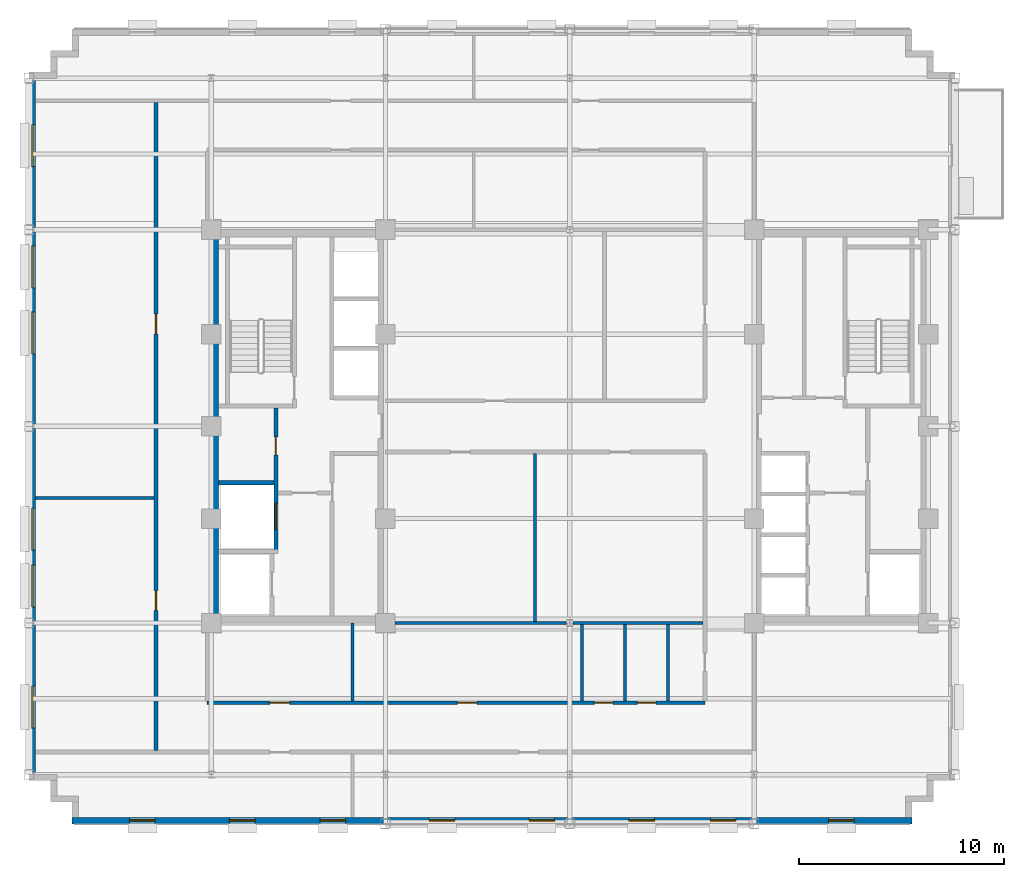
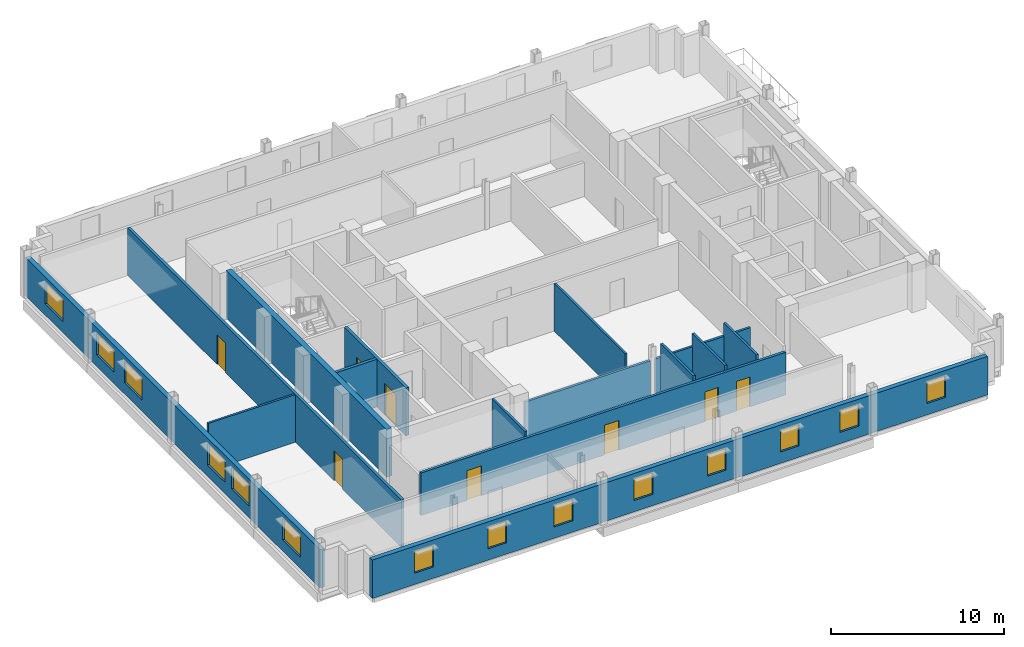
# One storey, part 6 of 13: 15 walls, 14 windows, 8 doors, 22 openings.
"""IFC4 building model written with IfcOpenShell, lengths in metres."""

from ifc_helpers import new_model, si_unit, direction, frame, frame_2d, origin, place, context, subcontext, project, spatial, rectangle, extrude, source, transform, mapped, material, layer, layer_set, type_object, type_shapes, element, fill, save


model = new_model("IFC4")

# Units and contexts
model_context = context("Model", 3, precision=1e-05, world=origin(), true_north=direction((0.0, 1.0)))
body_context = subcontext(model_context, "Body", "Model", "MODEL_VIEW")
ifc_project = project(units=[si_unit("LENGTHUNIT", "METRE"), si_unit("AREAUNIT", "SQUARE_METRE"), si_unit("VOLUMEUNIT", "CUBIC_METRE"), si_unit("PLANEANGLEUNIT", "RADIAN"), si_unit("MASSUNIT", "GRAM", prefix="KILO")], contexts=[model_context])

# Site, building, storey
site_placement = place(None, origin())
site = spatial("IfcSite", under=ifc_project, at=site_placement, CompositionType="ELEMENT")
building_placement = place(site_placement, origin())
building = spatial("IfcBuilding", under=site, at=building_placement, Name="Nuvemarco Arch Tower", CompositionType="ELEMENT")
storey_placement = place(building_placement, frame((0.0, 0.0, 212.800048828125)))
storey = spatial("IfcBuildingStorey", under=building, at=storey_placement, Name="L56", CompositionType="ELEMENT", Elevation=212.800048828125)

# Wall, openings, windows
ifc_material_1 = material(Name="Precast concrete C45/55", Category="concrete")
ifc_layer_1 = layer(ifc_material_1, 0.31005859375, Name="EW-UPP-310")
ifc_layer_set_1 = layer_set([ifc_layer_1], Name="Precast concrete C45/55")
wall_type_1 = type_object("IfcWallType", Name="EW-UPP-310", PredefinedType="STANDARD", material=ifc_layer_set_1)
wall_1_placement = place(storey_placement, frame((-24.300048828125, -19.2451171875, 0.0), z_axis=(0.0, 0.0, 1.0), x_axis=(1.0, 0.0, 0.0)))
wall_1 = element("IfcWall", 1, at=wall_1_placement, inside=storey, type_object=wall_type_1, Name="L56 exterior precast facade wall 1", PredefinedType="STANDARD", context=body_context, shape_type="SweptSolid", body=[
    extrude(rectangle(XDim=41.0, YDim=0.31005859375, at=frame_2d((20.5, 0.0))), origin(), (0.0, 0.0, 1.0), 2.704833984375),
])
opening_1_placement = place(wall_1_placement, frame((2.8125, 0.0, 0.800048828125)))
opening_1 = element("IfcOpeningElement", 2, at=opening_1_placement, cuts=wall_1, Name="Opening WN-13", PredefinedType="OPENING", context=body_context, shape_type="SweptSolid", body=[
    extrude(rectangle(XDim=1.25, YDim=1.52001953125, at=frame_2d((0.625, 0.760009765625))), frame((0.0, 0.1650390625, 0.0), z_axis=(0.0, -1.0, 0.0), x_axis=(1.0, 0.0, 0.0)), (0.0, 0.0, 1.0), 0.330078125),
])
opening_2_placement = place(wall_1_placement, frame((7.6875, 0.0, 0.800048828125)))
opening_2 = element("IfcOpeningElement", 3, at=opening_2_placement, cuts=wall_1, Name="Opening WN-13", PredefinedType="OPENING", context=body_context, shape_type="SweptSolid", body=[
    extrude(rectangle(XDim=1.25, YDim=1.52001953125, at=frame_2d((0.625, 0.760009765625))), frame((0.0, 0.1650390625, 0.0), z_axis=(0.0, -1.0, 0.0), x_axis=(1.0, 0.0, 0.0)), (0.0, 0.0, 1.0), 0.330078125),
])
opening_3_placement = place(wall_1_placement, frame((12.112548828125, 0.0, 0.800048828125)))
opening_3 = element("IfcOpeningElement", 4, at=opening_3_placement, cuts=wall_1, Name="Opening WN-13", PredefinedType="OPENING", context=body_context, shape_type="SweptSolid", body=[
    extrude(rectangle(XDim=1.25, YDim=1.52001953125, at=frame_2d((0.625, 0.760009765625))), frame((0.0, 0.1650390625, 0.0), z_axis=(0.0, -1.0, 0.0), x_axis=(1.0, 0.0, 0.0)), (0.0, 0.0, 1.0), 0.330078125),
])
opening_4_placement = place(wall_1_placement, frame((17.4375, 0.0, 0.800048828125)))
opening_4 = element("IfcOpeningElement", 5, at=opening_4_placement, cuts=wall_1, Name="Opening WN-13", PredefinedType="OPENING", context=body_context, shape_type="SweptSolid", body=[
    extrude(rectangle(XDim=1.25, YDim=1.52001953125, at=frame_2d((0.625, 0.760009765625))), frame((0.0, 0.1650390625, 0.0), z_axis=(0.0, -1.0, 0.0), x_axis=(1.0, 0.0, 0.0)), (0.0, 0.0, 1.0), 0.330078125),
])
opening_5_placement = place(wall_1_placement, frame((22.3125, 0.0, 0.800048828125)))
opening_5 = element("IfcOpeningElement", 6, at=opening_5_placement, cuts=wall_1, Name="Opening WN-13", PredefinedType="OPENING", context=body_context, shape_type="SweptSolid", body=[
    extrude(rectangle(XDim=1.25, YDim=1.52001953125, at=frame_2d((0.625, 0.760009765625))), frame((0.0, 0.1650390625, 0.0), z_axis=(0.0, -1.0, 0.0), x_axis=(1.0, 0.0, 0.0)), (0.0, 0.0, 1.0), 0.330078125),
])
opening_6_placement = place(wall_1_placement, frame((27.1875, 0.0, 0.800048828125)))
opening_6 = element("IfcOpeningElement", 7, at=opening_6_placement, cuts=wall_1, Name="Opening WN-13", PredefinedType="OPENING", context=body_context, shape_type="SweptSolid", body=[
    extrude(rectangle(XDim=1.25, YDim=1.52001953125, at=frame_2d((0.625, 0.760009765625))), frame((0.0, 0.1650390625, 0.0), z_axis=(0.0, -1.0, 0.0), x_axis=(1.0, 0.0, 0.0)), (0.0, 0.0, 1.0), 0.330078125),
])
opening_7_placement = place(wall_1_placement, frame((31.16259765625, 0.0, 0.800048828125)))
opening_7 = element("IfcOpeningElement", 8, at=opening_7_placement, cuts=wall_1, Name="Opening WN-13", PredefinedType="OPENING", context=body_context, shape_type="SweptSolid", body=[
    extrude(rectangle(XDim=1.25, YDim=1.52001953125, at=frame_2d((0.625, 0.760009765625))), frame((0.0, 0.1650390625, 0.0), z_axis=(0.0, -1.0, 0.0), x_axis=(1.0, 0.0, 0.0)), (0.0, 0.0, 1.0), 0.330078125),
])
opening_8_placement = place(wall_1_placement, frame((36.9375, 0.0, 0.800048828125)))
opening_8 = element("IfcOpeningElement", 9, at=opening_8_placement, cuts=wall_1, Name="Opening WN-13", PredefinedType="OPENING", context=body_context, shape_type="SweptSolid", body=[
    extrude(rectangle(XDim=1.25, YDim=1.52001953125, at=frame_2d((0.625, 0.760009765625))), frame((0.0, 0.1650390625, 0.0), z_axis=(0.0, -1.0, 0.0), x_axis=(1.0, 0.0, 0.0)), (0.0, 0.0, 1.0), 0.330078125),
])
ifc_material_2 = material(Name="Insulated solar-control glass", Category="glass")
window_type_1 = type_object("IfcWindowType", Name="WN-SET-1250x1520", PartitioningType="SINGLE_PANEL", PredefinedType="WINDOW", material=ifc_material_2)
shared_shape_1 = source(origin(), body_context, "Body", "SweptSolid", [
    extrude(rectangle(XDim=1.25, YDim=1.52001953125, at=frame_2d((0.625, 0.760009765625))), frame((0.0, 0.030029296875, 0.0), z_axis=(0.0, -1.0, 0.0), x_axis=(1.0, 0.0, 0.0)), (0.0, 0.0, 1.0), 0.06005859375),
])
type_shapes(window_type_1, [shared_shape_1])
window_1_placement = place(opening_1_placement, origin())
window_1 = element("IfcWindow", 10, at=window_1_placement, inside=storey, type_object=window_type_1, Name="L56 punched facade window 1", OverallHeight=1.52001953125, OverallWidth=1.25, PartitioningType="SINGLE_PANEL", PredefinedType="WINDOW", context=body_context, shape_type="MappedRepresentation", body=[
    mapped(shared_shape_1, transform((0.0, 0.0, 0.0), scale=1.0)),
])
fill(opening_1, window_1)
window_2_placement = place(opening_2_placement, origin())
window_2 = element("IfcWindow", 11, at=window_2_placement, inside=storey, type_object=window_type_1, Name="L56 punched facade window 2", OverallHeight=1.52001953125, OverallWidth=1.25, PartitioningType="SINGLE_PANEL", PredefinedType="WINDOW", context=body_context, shape_type="MappedRepresentation", body=[
    mapped(shared_shape_1, transform((0.0, 0.0, 0.0), scale=1.0)),
])
fill(opening_2, window_2)
window_3_placement = place(opening_3_placement, origin())
window_3 = element("IfcWindow", 12, at=window_3_placement, inside=storey, type_object=window_type_1, Name="L56 punched facade window 3", OverallHeight=1.52001953125, OverallWidth=1.25, PartitioningType="SINGLE_PANEL", PredefinedType="WINDOW", context=body_context, shape_type="MappedRepresentation", body=[
    mapped(shared_shape_1, transform((0.0, 0.0, 0.0), scale=1.0)),
])
fill(opening_3, window_3)
window_4_placement = place(opening_4_placement, origin())
window_4 = element("IfcWindow", 13, at=window_4_placement, inside=storey, type_object=window_type_1, Name="L56 punched facade window 4", OverallHeight=1.52001953125, OverallWidth=1.25, PartitioningType="SINGLE_PANEL", PredefinedType="WINDOW", context=body_context, shape_type="MappedRepresentation", body=[
    mapped(shared_shape_1, transform((0.0, 0.0, 0.0), scale=1.0)),
])
fill(opening_4, window_4)
window_5_placement = place(opening_5_placement, origin())
window_5 = element("IfcWindow", 14, at=window_5_placement, inside=storey, type_object=window_type_1, Name="L56 punched facade window 5", OverallHeight=1.52001953125, OverallWidth=1.25, PartitioningType="SINGLE_PANEL", PredefinedType="WINDOW", context=body_context, shape_type="MappedRepresentation", body=[
    mapped(shared_shape_1, transform((0.0, 0.0, 0.0), scale=1.0)),
])
fill(opening_5, window_5)
window_6_placement = place(opening_6_placement, origin())
window_6 = element("IfcWindow", 15, at=window_6_placement, inside=storey, type_object=window_type_1, Name="L56 punched facade window 6", OverallHeight=1.52001953125, OverallWidth=1.25, PartitioningType="SINGLE_PANEL", PredefinedType="WINDOW", context=body_context, shape_type="MappedRepresentation", body=[
    mapped(shared_shape_1, transform((0.0, 0.0, 0.0), scale=1.0)),
])
fill(opening_6, window_6)
window_7_placement = place(opening_7_placement, origin())
window_7 = element("IfcWindow", 16, at=window_7_placement, inside=storey, type_object=window_type_1, Name="L56 punched facade window 7", OverallHeight=1.52001953125, OverallWidth=1.25, PartitioningType="SINGLE_PANEL", PredefinedType="WINDOW", context=body_context, shape_type="MappedRepresentation", body=[
    mapped(shared_shape_1, transform((0.0, 0.0, 0.0), scale=1.0)),
])
fill(opening_7, window_7)
window_8_placement = place(opening_8_placement, origin())
window_8 = element("IfcWindow", 17, at=window_8_placement, inside=storey, type_object=window_type_1, Name="L56 punched facade window 8", OverallHeight=1.52001953125, OverallWidth=1.25, PartitioningType="SINGLE_PANEL", PredefinedType="WINDOW", context=body_context, shape_type="MappedRepresentation", body=[
    mapped(shared_shape_1, transform((0.0, 0.0, 0.0), scale=1.0)),
])
fill(opening_8, window_8)

wall_2_placement = place(storey_placement, frame((-26.2451171875, -16.993896484375, 0.0), z_axis=(0.0, 0.0, 1.0), x_axis=(0.0, 1.0, 0.0)))
wall_2 = element("IfcWall", 18, at=wall_2_placement, inside=storey, type_object=wall_type_1, Name="L56 exterior precast facade wall 16", PredefinedType="STANDARD", context=body_context, shape_type="SweptSolid", body=[
    extrude(rectangle(XDim=33.98779296875, YDim=0.31005859375, at=frame_2d((16.993896484375, 0.0))), origin(), (0.0, 0.0, 1.0), 2.704833984375),
])
opening_9_placement = place(wall_2_placement, frame((2.260009765625, 0.0, 0.800048828125)))
opening_9 = element("IfcOpeningElement", 19, at=opening_9_placement, cuts=wall_2, Name="Opening WN-12", PredefinedType="OPENING", context=body_context, shape_type="SweptSolid", body=[
    extrude(rectangle(XDim=2.050048828125, YDim=1.52001953125, at=frame_2d((1.02490234375, 0.760009765625))), frame((0.0, 0.1650390625, 0.0), z_axis=(0.0, -1.0, 0.0), x_axis=(1.0, 0.0, 0.0)), (0.0, 0.0, 1.0), 0.330078125),
])
opening_10_placement = place(wall_2_placement, frame((8.1796875, 0.0, 0.800048828125)))
opening_10 = element("IfcOpeningElement", 20, at=opening_10_placement, cuts=wall_2, Name="Opening WN-12", PredefinedType="OPENING", context=body_context, shape_type="SweptSolid", body=[
    extrude(rectangle(XDim=2.050048828125, YDim=1.52001953125, at=frame_2d((1.02490234375, 0.760009765625))), frame((0.0, 0.1650390625, 0.0), z_axis=(0.0, -1.0, 0.0), x_axis=(1.0, 0.0, 0.0)), (0.0, 0.0, 1.0), 0.330078125),
])
opening_11_placement = place(wall_2_placement, frame((10.94921875, 0.0, 0.800048828125)))
opening_11 = element("IfcOpeningElement", 21, at=opening_11_placement, cuts=wall_2, Name="Opening WN-12", PredefinedType="OPENING", context=body_context, shape_type="SweptSolid", body=[
    extrude(rectangle(XDim=2.050048828125, YDim=1.52001953125, at=frame_2d((1.02490234375, 0.760009765625))), frame((0.0, 0.1650390625, 0.0), z_axis=(0.0, -1.0, 0.0), x_axis=(1.0, 0.0, 0.0)), (0.0, 0.0, 1.0), 0.330078125),
])
opening_12_placement = place(wall_2_placement, frame((20.538818359375, 0.0, 0.800048828125)))
opening_12 = element("IfcOpeningElement", 22, at=opening_12_placement, cuts=wall_2, Name="Opening WN-12", PredefinedType="OPENING", context=body_context, shape_type="SweptSolid", body=[
    extrude(rectangle(XDim=2.050048828125, YDim=1.52001953125, at=frame_2d((1.02490234375, 0.760009765625))), frame((0.0, 0.1650390625, 0.0), z_axis=(0.0, -1.0, 0.0), x_axis=(1.0, 0.0, 0.0)), (0.0, 0.0, 1.0), 0.330078125),
])
opening_13_placement = place(wall_2_placement, frame((23.75830078125, 0.0, 0.800048828125)))
opening_13 = element("IfcOpeningElement", 23, at=opening_13_placement, cuts=wall_2, Name="Opening WN-12", PredefinedType="OPENING", context=body_context, shape_type="SweptSolid", body=[
    extrude(rectangle(XDim=2.050048828125, YDim=1.52001953125, at=frame_2d((1.02490234375, 0.760009765625))), frame((0.0, 0.1650390625, 0.0), z_axis=(0.0, -1.0, 0.0), x_axis=(1.0, 0.0, 0.0)), (0.0, 0.0, 1.0), 0.330078125),
])
opening_14_placement = place(wall_2_placement, frame((29.677978515625, 0.0, 0.800048828125)))
opening_14 = element("IfcOpeningElement", 24, at=opening_14_placement, cuts=wall_2, Name="Opening WN-12", PredefinedType="OPENING", context=body_context, shape_type="SweptSolid", body=[
    extrude(rectangle(XDim=2.050048828125, YDim=1.52001953125, at=frame_2d((1.02490234375, 0.760009765625))), frame((0.0, 0.1650390625, 0.0), z_axis=(0.0, -1.0, 0.0), x_axis=(1.0, 0.0, 0.0)), (0.0, 0.0, 1.0), 0.330078125),
])
window_type_2 = type_object("IfcWindowType", Name="WN-SET-2050x1520", PartitioningType="DOUBLE_PANEL_VERTICAL", PredefinedType="WINDOW", material=ifc_material_2)
shared_shape_2 = source(origin(), body_context, "Body", "SweptSolid", [
    extrude(rectangle(XDim=2.050048828125, YDim=1.52001953125, at=frame_2d((1.02490234375, 0.760009765625))), frame((0.0, 0.030029296875, 0.0), z_axis=(0.0, -1.0, 0.0), x_axis=(1.0, 0.0, 0.0)), (0.0, 0.0, 1.0), 0.06005859375),
])
type_shapes(window_type_2, [shared_shape_2])
window_9_placement = place(opening_9_placement, origin())
window_9 = element("IfcWindow", 25, at=window_9_placement, inside=storey, type_object=window_type_2, Name="L56 punched facade window 1", OverallHeight=1.52001953125, OverallWidth=2.050048828125, PartitioningType="SINGLE_PANEL", PredefinedType="WINDOW", context=body_context, shape_type="MappedRepresentation", body=[
    mapped(shared_shape_2, transform((0.0, 0.0, 0.0), scale=1.0)),
])
fill(opening_9, window_9)
window_10_placement = place(opening_10_placement, origin())
window_10 = element("IfcWindow", 26, at=window_10_placement, inside=storey, type_object=window_type_2, Name="L56 punched facade window 2", OverallHeight=1.52001953125, OverallWidth=2.050048828125, PartitioningType="SINGLE_PANEL", PredefinedType="WINDOW", context=body_context, shape_type="MappedRepresentation", body=[
    mapped(shared_shape_2, transform((0.0, 0.0, 0.0), scale=1.0)),
])
fill(opening_10, window_10)
window_11_placement = place(opening_11_placement, origin())
window_11 = element("IfcWindow", 27, at=window_11_placement, inside=storey, type_object=window_type_2, Name="L56 punched facade window 3", OverallHeight=1.52001953125, OverallWidth=2.050048828125, PartitioningType="SINGLE_PANEL", PredefinedType="WINDOW", context=body_context, shape_type="MappedRepresentation", body=[
    mapped(shared_shape_2, transform((0.0, 0.0, 0.0), scale=1.0)),
])
fill(opening_11, window_11)
window_12_placement = place(opening_12_placement, origin())
window_12 = element("IfcWindow", 28, at=window_12_placement, inside=storey, type_object=window_type_2, Name="L56 punched facade window 5", OverallHeight=1.52001953125, OverallWidth=2.050048828125, PartitioningType="SINGLE_PANEL", PredefinedType="WINDOW", context=body_context, shape_type="MappedRepresentation", body=[
    mapped(shared_shape_2, transform((0.0, 0.0, 0.0), scale=1.0)),
])
fill(opening_12, window_12)
window_13_placement = place(opening_13_placement, origin())
window_13 = element("IfcWindow", 29, at=window_13_placement, inside=storey, type_object=window_type_2, Name="L56 punched facade window 6", OverallHeight=1.52001953125, OverallWidth=2.050048828125, PartitioningType="SINGLE_PANEL", PredefinedType="WINDOW", context=body_context, shape_type="MappedRepresentation", body=[
    mapped(shared_shape_2, transform((0.0, 0.0, 0.0), scale=1.0)),
])
fill(opening_13, window_13)
window_14_placement = place(opening_14_placement, origin())
window_14 = element("IfcWindow", 30, at=window_14_placement, inside=storey, type_object=window_type_2, Name="L56 punched facade window 7", OverallHeight=1.52001953125, OverallWidth=2.050048828125, PartitioningType="SINGLE_PANEL", PredefinedType="WINDOW", context=body_context, shape_type="MappedRepresentation", body=[
    mapped(shared_shape_2, transform((0.0, 0.0, 0.0), scale=1.0)),
])
fill(opening_14, window_14)

# Wall
ifc_material_3 = material(Name="Concrete C50/60", Category="concrete")
ifc_layer_2 = layer(ifc_material_3, 0.35009765625, Name="WL-CORE-350")
ifc_layer_set_2 = layer_set([ifc_layer_2], Name="Concrete C50/60")
wall_type_2 = type_object("IfcWallType", Name="WL-CORE-350", PredefinedType="SHEAR", material=ifc_layer_set_2)
wall_3_placement = place(storey_placement, frame((-17.324951171875, -9.2548828125, 0.0), z_axis=(0.0, 0.0, 1.0), x_axis=(0.0, 1.0, 0.0)))
element("IfcWall", 31, at=wall_3_placement, inside=storey, type_object=wall_type_2, Name="L56 W-core shear wall W", PredefinedType="SHEAR", context=body_context, shape_type="SweptSolid", body=[
    extrude(rectangle(XDim=18.509765625, YDim=0.35009765625, at=frame_2d((9.2548828125, 0.0))), origin(), (0.0, 0.0, 1.0), 3.369873046875),
])

# Wall, openings, doors
ifc_material_4 = material(Name="Fire-rated gypsum drywall partition")
ifc_layer_3 = layer(ifc_material_4, 0.179931640625, Name="WL-CORR-180")
ifc_layer_set_3 = layer_set([ifc_layer_3], Name="Fire-rated gypsum drywall partition")
wall_type_3 = type_object("IfcWallType", Name="WL-CORR-180", PredefinedType="PARTITIONING", material=ifc_layer_set_3)
wall_4_placement = place(storey_placement, frame((-17.699951171875, -13.5, 0.0), z_axis=(0.0, 0.0, 1.0), x_axis=(1.0, 0.0, 0.0)))
wall_4 = element("IfcWall", 32, at=wall_4_placement, inside=storey, type_object=wall_type_3, Name="L56 interior wall IW-L56-002", PredefinedType="PARTITIONING", context=body_context, shape_type="SweptSolid", body=[
    extrude(rectangle(XDim=24.300048828125, YDim=0.179931640625, at=frame_2d((12.14990234375, 0.0))), origin(), (0.0, 0.0, 1.0), 3.008056640625),
])
opening_15_placement = place(wall_4_placement, frame((12.215087890625, 0.0, 0.0)))
opening_15 = element("IfcOpeningElement", 33, at=opening_15_placement, cuts=wall_4, Name="Opening FD-5", PredefinedType="OPENING", context=body_context, shape_type="SweptSolid", body=[
    extrude(rectangle(XDim=0.9599609375, YDim=2.10009765625, at=frame_2d((0.47998046875, 1.050048828125))), frame((0.0, 0.099853515625, 0.0), z_axis=(0.0, -1.0, 0.0), x_axis=(1.0, 0.0, 0.0)), (0.0, 0.0, 1.0), 0.199951171875),
])
opening_16_placement = place(wall_4_placement, frame((3.06494140625, 0.0, 0.0)))
opening_16 = element("IfcOpeningElement", 34, at=opening_16_placement, cuts=wall_4, Name="Opening FD-5", PredefinedType="OPENING", context=body_context, shape_type="SweptSolid", body=[
    extrude(rectangle(XDim=0.9599609375, YDim=2.10009765625, at=frame_2d((0.47998046875, 1.050048828125))), frame((0.0, 0.099853515625, 0.0), z_axis=(0.0, -1.0, 0.0), x_axis=(1.0, 0.0, 0.0)), (0.0, 0.0, 1.0), 0.199951171875),
])
opening_17_placement = place(wall_4_placement, frame((18.89990234375, 0.0, 0.0)))
opening_17 = element("IfcOpeningElement", 35, at=opening_17_placement, cuts=wall_4, Name="Opening ID-3", PredefinedType="OPENING", context=body_context, shape_type="SweptSolid", body=[
    extrude(rectangle(XDim=0.89990234375, YDim=2.10009765625, at=frame_2d((0.449951171875, 1.050048828125))), frame((0.0, 0.099853515625, 0.0), z_axis=(0.0, -1.0, 0.0), x_axis=(1.0, 0.0, 0.0)), (0.0, 0.0, 1.0), 0.199951171875),
])
opening_18_placement = place(wall_4_placement, frame((21.0, 0.0, 0.0)))
opening_18 = element("IfcOpeningElement", 36, at=opening_18_placement, cuts=wall_4, Name="Opening ID-3", PredefinedType="OPENING", context=body_context, shape_type="SweptSolid", body=[
    extrude(rectangle(XDim=0.89990234375, YDim=2.10009765625, at=frame_2d((0.449951171875, 1.050048828125))), frame((0.0, 0.099853515625, 0.0), z_axis=(0.0, -1.0, 0.0), x_axis=(1.0, 0.0, 0.0)), (0.0, 0.0, 1.0), 0.199951171875),
])
ifc_material_5 = material(Name="Timber fire door", Category="wood")
door_type_1 = type_object("IfcDoorType", Name="DR-CORR-FD", OperationType="NOTDEFINED", PredefinedType="DOOR", material=ifc_material_5)
shared_shape_3 = source(origin(), body_context, "Body", "SweptSolid", [
    extrude(rectangle(XDim=0.9599609375, YDim=2.10009765625, at=frame_2d((0.47998046875, 1.050048828125))), frame((0.0, 0.02490234375, 0.0), z_axis=(0.0, -1.0, 0.0), x_axis=(1.0, 0.0, 0.0)), (0.0, 0.0, 1.0), 0.050048828125),
])
type_shapes(door_type_1, [shared_shape_3])
door_1_placement = place(opening_15_placement, origin())
door_1 = element("IfcDoor", 37, at=door_1_placement, inside=storey, type_object=door_type_1, Name="L56 door DR-L56-S_2_2", OperationType="SINGLE_SWING_RIGHT", OverallHeight=2.10009765625, OverallWidth=0.9599609375, PredefinedType="DOOR", context=body_context, shape_type="MappedRepresentation", body=[
    mapped(shared_shape_3, transform((0.0, 0.0, 0.0), scale=1.0)),
])
fill(opening_15, door_1)
door_2_placement = place(opening_16_placement, origin())
door_2 = element("IfcDoor", 38, at=door_2_placement, inside=storey, type_object=door_type_1, Name="L56 door DR-L56-IN_S1", OperationType="SINGLE_SWING_LEFT", OverallHeight=2.10009765625, OverallWidth=0.9599609375, PredefinedType="DOOR", context=body_context, shape_type="MappedRepresentation", body=[
    mapped(shared_shape_3, transform((0.0, 0.0, 0.0), scale=1.0)),
])
fill(opening_16, door_2)
ifc_material_6 = material(Name="Veneered oak timber fire door", Category="wood")
door_type_2 = type_object("IfcDoorType", Name="DR-WC-ACC", OperationType="NOTDEFINED", PredefinedType="DOOR", material=ifc_material_6)
shared_shape_4 = source(origin(), body_context, "Body", "SweptSolid", [
    extrude(rectangle(XDim=0.89990234375, YDim=2.10009765625, at=frame_2d((0.449951171875, 1.050048828125))), frame((0.0, 0.02490234375, 0.0), z_axis=(0.0, -1.0, 0.0), x_axis=(1.0, 0.0, 0.0)), (0.0, 0.0, 1.0), 0.050048828125),
])
type_shapes(door_type_2, [shared_shape_4])
door_3_placement = place(opening_17_placement, origin())
door_3 = element("IfcDoor", 39, at=door_3_placement, inside=storey, type_object=door_type_2, Name="L56 door DR-L56-WC_M", OperationType="SINGLE_SWING_LEFT", OverallHeight=2.10009765625, OverallWidth=0.89990234375, PredefinedType="DOOR", context=body_context, shape_type="MappedRepresentation", body=[
    mapped(shared_shape_4, transform((0.0, 0.0, 0.0), scale=1.0)),
])
fill(opening_17, door_3)
door_4_placement = place(opening_18_placement, origin())
door_4 = element("IfcDoor", 40, at=door_4_placement, inside=storey, type_object=door_type_2, Name="L56 door DR-L56-WC_F", OperationType="SINGLE_SWING_RIGHT", OverallHeight=2.10009765625, OverallWidth=0.89990234375, PredefinedType="DOOR", context=body_context, shape_type="MappedRepresentation", body=[
    mapped(shared_shape_4, transform((0.0, 0.0, 0.0), scale=1.0)),
])
fill(opening_18, door_4)

wall_5_placement = place(storey_placement, frame((-20.199951171875, -15.81396484375, 0.0), z_axis=(0.0, 0.0, 1.0), x_axis=(0.0, 1.0, 0.0)))
wall_5 = element("IfcWall", 41, at=wall_5_placement, inside=storey, type_object=wall_type_3, Name="L56 interior wall IW-L56-012", PredefinedType="PARTITIONING", context=body_context, shape_type="SweptSolid", body=[
    extrude(rectangle(XDim=31.6279296875, YDim=0.179931640625, at=frame_2d((15.81396484375, 0.0))), origin(), (0.0, 0.0, 1.0), 3.35986328125),
])
opening_19_placement = place(wall_5_placement, frame((20.333984375, 0.0, 0.0)))
opening_19 = element("IfcOpeningElement", 42, at=opening_19_placement, cuts=wall_5, Name="Opening FD-5", PredefinedType="OPENING", context=body_context, shape_type="SweptSolid", body=[
    extrude(rectangle(XDim=0.9599609375, YDim=2.10009765625, at=frame_2d((0.47998046875, 1.050048828125))), frame((0.0, 0.099853515625, 0.0), z_axis=(0.0, -1.0, 0.0), x_axis=(1.0, 0.0, 0.0)), (0.0, 0.0, 1.0), 0.199951171875),
])
opening_20_placement = place(wall_5_placement, frame((6.833984375, 0.0, 0.0)))
opening_20 = element("IfcOpeningElement", 43, at=opening_20_placement, cuts=wall_5, Name="Opening FD-5", PredefinedType="OPENING", context=body_context, shape_type="SweptSolid", body=[
    extrude(rectangle(XDim=0.9599609375, YDim=2.10009765625, at=frame_2d((0.47998046875, 1.050048828125))), frame((0.0, 0.099853515625, 0.0), z_axis=(0.0, -1.0, 0.0), x_axis=(1.0, 0.0, 0.0)), (0.0, 0.0, 1.0), 0.199951171875),
])
door_5_placement = place(opening_19_placement, origin())
door_5 = element("IfcDoor", 44, at=door_5_placement, inside=storey, type_object=door_type_1, Name="L56 door DR-L56-W_2", OperationType="SINGLE_SWING_LEFT", OverallHeight=2.10009765625, OverallWidth=0.9599609375, PredefinedType="DOOR", context=body_context, shape_type="MappedRepresentation", body=[
    mapped(shared_shape_3, transform((0.0, 0.0, 0.0), scale=1.0)),
])
fill(opening_19, door_5)
door_6_placement = place(opening_20_placement, origin())
door_6 = element("IfcDoor", 45, at=door_6_placement, inside=storey, type_object=door_type_1, Name="L56 door DR-L56-W_1", OperationType="SINGLE_SWING_RIGHT", OverallHeight=2.10009765625, OverallWidth=0.9599609375, PredefinedType="DOOR", context=body_context, shape_type="MappedRepresentation", body=[
    mapped(shared_shape_3, transform((0.0, 0.0, 0.0), scale=1.0)),
])
fill(opening_20, door_6)

# Walls
ifc_material_7 = material(Name="Gypsum plasterboard partition")
ifc_layer_4 = layer(ifc_material_7, 0.139892578125, Name="WL-ROOM-140")
ifc_layer_set_4 = layer_set([ifc_layer_4], Name="Gypsum plasterboard partition")
wall_type_4 = type_object("IfcWallType", Name="WL-ROOM-140", PredefinedType="PARTITIONING", material=ifc_layer_set_4)
wall_6_placement = place(storey_placement, frame((-26.090087890625, -3.5, 0.0), z_axis=(0.0, 0.0, 1.0), x_axis=(1.0, 0.0, 0.0)))
element("IfcWall", 46, at=wall_6_placement, inside=storey, type_object=wall_type_4, Name="L56 interior wall IW-L56-005", PredefinedType="PARTITIONING", context=body_context, shape_type="SweptSolid", body=[
    extrude(rectangle(XDim=5.80419921875, YDim=0.139892578125, at=frame_2d((2.902099609375, 0.0))), origin(), (0.0, 0.0, 1.0), 3.35986328125),
])
wall_7_placement = place(storey_placement, frame((-10.610107421875, -13.4140625, 0.0), z_axis=(0.0, 0.0, 1.0), x_axis=(0.0, 1.0, 0.0)))
element("IfcWall", 47, at=wall_7_placement, inside=storey, type_object=wall_type_4, Name="L56 interior wall IW-L56-016", PredefinedType="PARTITIONING", context=body_context, shape_type="SweptSolid", body=[
    extrude(rectangle(XDim=3.81396484375, YDim=0.139892578125, at=frame_2d((1.906982421875, 0.0))), origin(), (0.0, 0.0, 1.0), 3.35986328125),
])
wall_8_placement = place(storey_placement, frame((-1.699951171875, -9.529052734375, 0.0), z_axis=(0.0, 0.0, 1.0), x_axis=(0.0, 1.0, 0.0)))
element("IfcWall", 48, at=wall_8_placement, inside=storey, type_object=wall_type_4, Name="L56 interior wall IW-L56-019", PredefinedType="PARTITIONING", context=body_context, shape_type="SweptSolid", body=[
    extrude(rectangle(XDim=8.193115234375, YDim=0.139892578125, at=frame_2d((4.0966796875, 0.0))), origin(), (0.0, 0.0, 1.0), 3.35986328125),
])

# Wall, openings, doors
ifc_layer_5 = layer(ifc_material_3, 0.199951171875, Name="WL-SHAFT-220")
ifc_layer_set_5 = layer_set([ifc_layer_5], Name="Concrete C50/60")
wall_type_5 = type_object("IfcWallType", Name="WL-SHAFT-220", PredefinedType="SHEAR", material=ifc_layer_set_5)
wall_9_placement = place(storey_placement, frame((-14.35009765625, -6.199951171875, 0.0), z_axis=(0.0, 0.0, 1.0), x_axis=(0.0, 1.0, 0.0)))
wall_9 = element("IfcWall", 49, at=wall_9_placement, inside=storey, type_object=wall_type_5, Name="L56 structural shaft wall SW-L56-W-SVE", PredefinedType="SHEAR", context=body_context, shape_type="SweptSolid", body=[
    extrude(rectangle(XDim=7.10498046875, YDim=0.199951171875, at=frame_2d((3.552490234375, 0.0))), origin(), (0.0, 0.0, 1.0), 3.369873046875),
])
opening_21_placement = place(wall_9_placement, frame((5.68994140625, 0.0, 0.0), z_axis=(0.0, 0.0, 1.0), x_axis=(-1.0, 0.0, 0.0)))
opening_21 = element("IfcOpeningElement", 50, at=opening_21_placement, cuts=wall_9, Name="Opening FD-4", PredefinedType="OPENING", context=body_context, shape_type="SweptSolid", body=[
    extrude(rectangle(XDim=0.8798828125, YDim=2.10009765625, at=frame_2d((0.43994140625, 1.050048828125))), frame((0.0, 0.10986328125, 0.0), z_axis=(0.0, -1.0, 0.0), x_axis=(1.0, 0.0, 0.0)), (0.0, 0.0, 1.0), 0.219970703125),
])
opening_22_placement = place(wall_9_placement, frame((1.14990234375, 0.0, 0.0)))
opening_22 = element("IfcOpeningElement", 51, at=opening_22_placement, cuts=wall_9, Name="Opening LD-3", PredefinedType="OPENING", context=body_context, shape_type="SweptSolid", body=[
    extrude(rectangle(XDim=1.300048828125, YDim=2.199951171875, at=frame_2d((0.64990234375, 1.10009765625))), frame((0.0, 0.10986328125, 0.0), z_axis=(0.0, -1.0, 0.0), x_axis=(1.0, 0.0, 0.0)), (0.0, 0.0, 1.0), 0.219970703125),
])
ifc_material_8 = material(Name="Anodised steel fire door", Category="steel")
door_type_3 = type_object("IfcDoorType", Name="DR-RISER-FD", OperationType="NOTDEFINED", PredefinedType="DOOR", material=ifc_material_8)
shared_shape_5 = source(origin(), body_context, "Body", "SweptSolid", [
    extrude(rectangle(XDim=0.8798828125, YDim=2.10009765625, at=frame_2d((0.43994140625, 1.050048828125))), frame((0.0, 0.02490234375, 0.0), z_axis=(0.0, -1.0, 0.0), x_axis=(1.0, 0.0, 0.0)), (0.0, 0.0, 1.0), 0.050048828125),
])
type_shapes(door_type_3, [shared_shape_5])
door_7_placement = place(opening_21_placement, origin())
door_7 = element("IfcDoor", 52, at=door_7_placement, inside=storey, type_object=door_type_3, Name="L56 door FD-L56-WRIS", OperationType="SINGLE_SWING_LEFT", OverallHeight=2.10009765625, OverallWidth=0.8798828125, PredefinedType="DOOR", context=body_context, shape_type="MappedRepresentation", body=[
    mapped(shared_shape_5, transform((0.0, 0.0, 0.0), scale=1.0)),
])
fill(opening_21, door_7)
ifc_material_9 = material(Name="Stainless steel lift door", Category="steel")
door_type_4 = type_object("IfcDoorType", Name="DR-LIFT-SERV", OperationType="DOUBLE_DOOR_SLIDING", PredefinedType="DOOR", material=ifc_material_9)
shared_shape_6 = source(origin(), body_context, "Body", "SweptSolid", [
    extrude(rectangle(XDim=1.300048828125, YDim=2.199951171875, at=frame_2d((0.64990234375, 1.10009765625))), frame((0.0, 0.02490234375, 0.0), z_axis=(0.0, -1.0, 0.0), x_axis=(1.0, 0.0, 0.0)), (0.0, 0.0, 1.0), 0.050048828125),
])
type_shapes(door_type_4, [shared_shape_6])
door_8_placement = place(opening_22_placement, origin())
door_8 = element("IfcDoor", 53, at=door_8_placement, inside=storey, type_object=door_type_4, Name="L56 Lift landing sliding door SVL-1", OperationType="DOUBLE_DOOR_SLIDING", OverallHeight=2.199951171875, OverallWidth=1.300048828125, PredefinedType="DOOR", context=body_context, shape_type="MappedRepresentation", body=[
    mapped(shared_shape_6, transform((0.0, 0.0, 0.0), scale=1.0)),
])
fill(opening_22, door_8)

# Walls
wall_10_placement = place(storey_placement, frame((-17.155029296875, -2.75, 0.0), z_axis=(0.0, 0.0, 1.0), x_axis=(1.0, 0.0, 0.0)))
element("IfcWall", 54, at=wall_10_placement, inside=storey, type_object=wall_type_5, Name="L56 structural shaft wall SW-L56-W-SH2", PredefinedType="SHEAR", context=body_context, shape_type="SweptSolid", body=[
    extrude(rectangle(XDim=2.7099609375, YDim=0.199951171875, at=frame_2d((1.35498046875, 0.0))), origin(), (0.0, 0.0, 1.0), 3.369873046875),
])
ifc_material_10 = material(Name="Moisture-resistant gypsum partition")
ifc_layer_6 = layer(ifc_material_10, 0.14990234375, Name="WL-WET-150")
ifc_layer_set_6 = layer_set([ifc_layer_6], Name="Moisture-resistant gypsum partition")
wall_type_6 = type_object("IfcWallType", Name="WL-WET-150", PredefinedType="PARTITIONING", material=ifc_layer_set_6)
wall_11_placement = place(storey_placement, frame((-8.529052734375, -9.60009765625, 0.0), z_axis=(0.0, 0.0, 1.0), x_axis=(1.0, 0.0, 0.0)))
element("IfcWall", 55, at=wall_11_placement, inside=storey, type_object=wall_type_6, Name="L56 interior wall IW-L56-003", PredefinedType="PARTITIONING", context=body_context, shape_type="SweptSolid", body=[
    extrude(rectangle(XDim=8.378173828125, YDim=0.14990234375, at=frame_2d((4.18896484375, 0.0))), origin(), (0.0, 0.0, 1.0), 2.405029296875),
])
wall_12_placement = place(storey_placement, frame((0.15087890625, -9.60009765625, 0.0), z_axis=(0.0, 0.0, 1.0), x_axis=(1.0, 0.0, 0.0)))
element("IfcWall", 56, at=wall_12_placement, inside=storey, type_object=wall_type_6, Name="L56 interior wall IW-L56-004", PredefinedType="PARTITIONING", context=body_context, shape_type="SweptSolid", body=[
    extrude(rectangle(XDim=6.363037109375, YDim=0.14990234375, at=frame_2d((3.181640625, 0.0))), origin(), (0.0, 0.0, 1.0), 2.405029296875),
])
for number, where, z_axis, x_axis, name in (
    (57, (0.60009765625, -13.4140625, 0.0), (0.0, 0.0, 1.0), (0.0, 1.0, 0.0), "L56 interior wall IW-L56-020"),
    (58, (2.699951171875, -13.4140625, 0.0), (0.0, 0.0, 1.0), (0.0, 1.0, 0.0), "L56 interior wall IW-L56-022"),
    (59, (4.800048828125, -13.4140625, 0.0), (0.0, 0.0, 1.0), (0.0, 1.0, 0.0), "L56 interior wall IW-L56-023"),
):
    element("IfcWall", number, at=place(storey_placement, frame(where, z_axis=z_axis, x_axis=x_axis)), inside=storey, type_object=wall_type_6, Name=name, PredefinedType="PARTITIONING", context=body_context, shape_type="SweptSolid", body=[
        extrude(rectangle(XDim=3.7431640625, YDim=0.14990234375, at=frame_2d((1.87158203125, 0.0))), origin(), (0.0, 0.0, 1.0), 3.35986328125),
    ])

save(model, "model.ifc")
